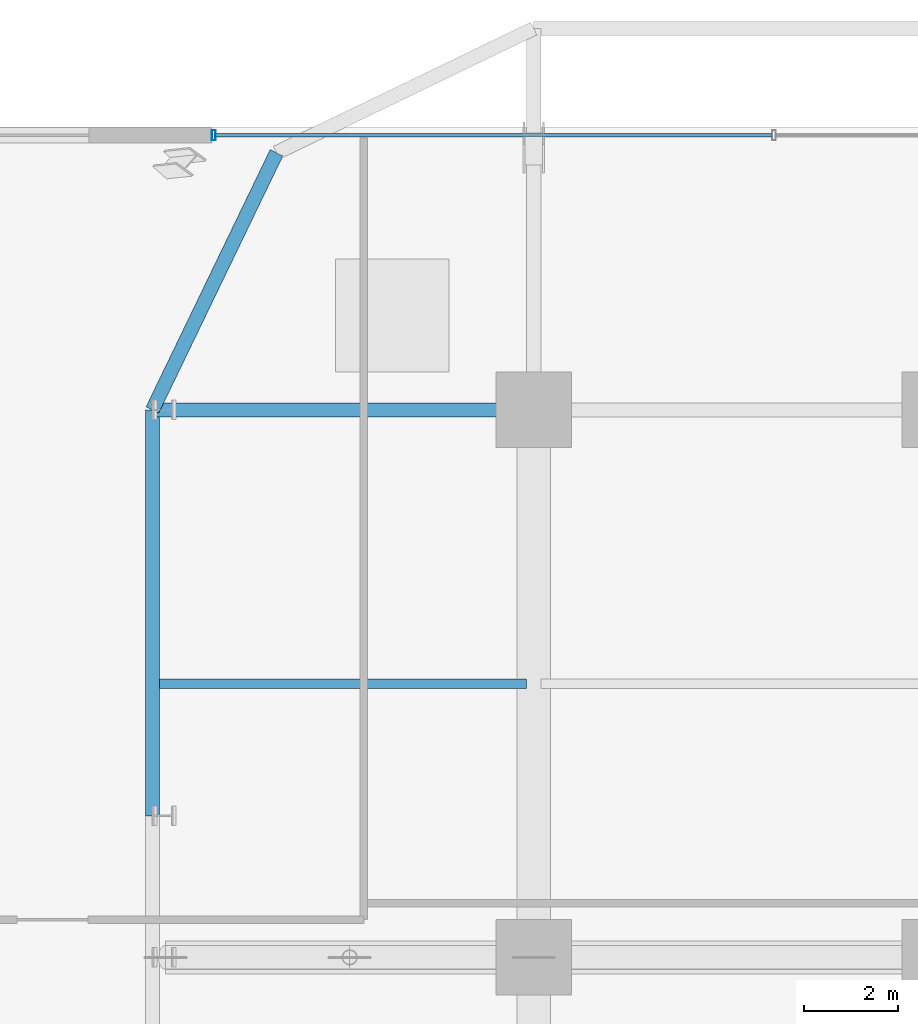
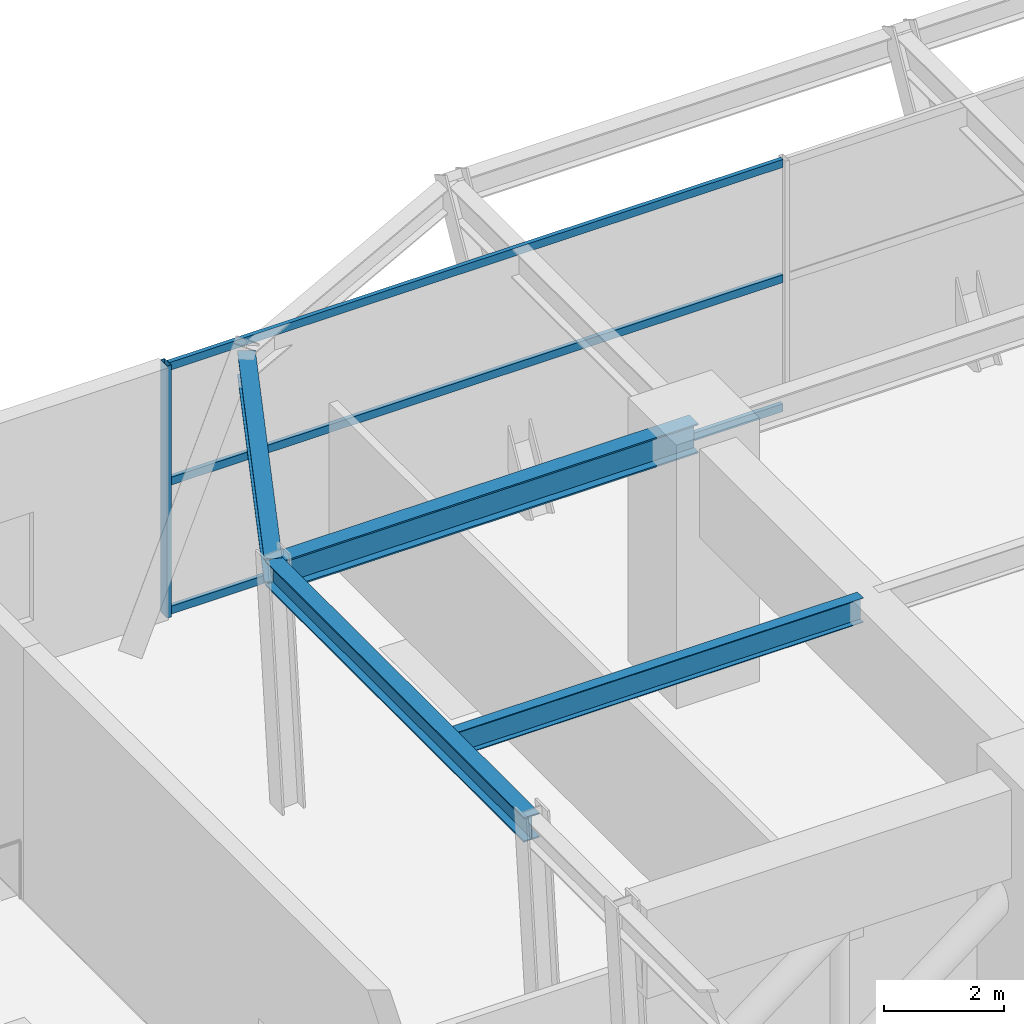
# One storey, part 12 of 29: 4 beams, 4 members, 1 element without a shape of its own.
"""IFC4 building model written with IfcOpenShell, lengths in metres."""

from ifc_helpers import new_model, si_unit, direction, frame, origin, origin_2d, place, context, subcontext, project, spatial, hollow_rectangle, i_section, extrude, source, transform, mapped, material, material_profile, profile_set, type_object, element, aggregate, save


model = new_model("IFC4")

# Units and contexts
model_context = context("Model", 3, precision=1e-05, world=origin(), true_north=direction((0.0, 1.0)))
body_context = subcontext(model_context, "Body", "Model", "MODEL_VIEW")
ifc_project = project(units=[si_unit("LENGTHUNIT", "METRE"), si_unit("AREAUNIT", "SQUARE_METRE"), si_unit("VOLUMEUNIT", "CUBIC_METRE"), si_unit("PLANEANGLEUNIT", "RADIAN"), si_unit("MASSUNIT", "GRAM", prefix="KILO")], contexts=[model_context])

# Site, building, storey
site_placement = place(None, origin())
site = spatial("IfcSite", under=ifc_project, at=site_placement, CompositionType="ELEMENT")
building_placement = place(site_placement, origin())
building = spatial("IfcBuilding", under=site, at=building_placement, Name="Nahalor Promenade Grand Hotel", CompositionType="ELEMENT")
storey_placement = place(building_placement, frame((0.0, 0.0, 27.0)))
storey = spatial("IfcBuildingStorey", under=building, at=storey_placement, Name="L05", CompositionType="ELEMENT", Elevation=27.0)

# Beams
ifc_material_1 = material(Name="Steel S355JR", Category="steel")
ifc_material_profile_1 = material_profile(ifc_material_1, i_section(OverallWidth=0.3, OverallDepth=0.5, WebThickness=0.0145, FlangeThickness=0.028, at=origin_2d()), Name="HEB 500")
ifc_profile_set_1 = profile_set([ifc_material_profile_1], Name="Steel S355JR")
beam_type_1 = type_object("IfcBeamType", Name="Beam-Spandrel-HEB500", PredefinedType="SPANDREL", material=ifc_profile_set_1)
shared_shape_1 = source(origin(), body_context, "Body", "SweptSolid", [
    extrude(i_section(OverallWidth=0.3, OverallDepth=0.5, WebThickness=0.0145, FlangeThickness=0.028, at=origin_2d()), origin(), (0.0, 0.0, 1.0), 8.60009765625),
])
beam_1_placement = place(storey_placement, frame((-25.080078125, 8.39990234375, 4.8701171875), z_axis=(0.0, 1.0, 0.0), x_axis=(-1.0, 0.0, 0.0)))
element("IfcBeam", 1, at=beam_1_placement, inside=storey, type_object=beam_type_1, Name="BM-L05-SP-W-4", PredefinedType="SPANDREL", context=body_context, shape_type="MappedRepresentation", body=[
    mapped(shared_shape_1, transform((0.0, 0.0, 0.0), scale=1.0)),
])
ifc_material_profile_2 = material_profile(ifc_material_1, i_section(OverallWidth=0.3, OverallDepth=0.6, WebThickness=0.0155, FlangeThickness=0.03, at=origin_2d()), Name="HEB 600")
ifc_profile_set_2 = profile_set([ifc_material_profile_2], Name="Steel S355JR")
beam_type_2 = type_object("IfcBeamType", Name="Beam-Girder-HEB600", PredefinedType="BEAM", material=ifc_profile_set_2)
shared_shape_2 = source(origin(), body_context, "Body", "SweptSolid", [
    extrude(i_section(OverallWidth=0.3, OverallDepth=0.6, WebThickness=0.0155, FlangeThickness=0.03, at=origin_2d()), origin(), (0.0, 0.0, 1.0), 8.080078125),
])
beam_2_placement = place(storey_placement, frame((-25.080078125, 17.0, 4.820068359375), z_axis=(1.0, 0.0, 0.0), x_axis=(0.0, 1.0, 0.0)))
element("IfcBeam", 2, at=beam_2_placement, inside=storey, type_object=beam_type_2, Name="BM-L05-GX-3-0", PredefinedType="BEAM", context=body_context, shape_type="MappedRepresentation", body=[
    mapped(shared_shape_2, transform((0.0, 0.0, 0.0), scale=1.0)),
])
shared_shape_3 = source(origin(), body_context, "Body", "SweptSolid", [
    extrude(i_section(OverallWidth=0.3, OverallDepth=0.5, WebThickness=0.0145, FlangeThickness=0.028, at=origin_2d()), origin(), (0.0, 0.0, 1.0), 6.051513671875),
])
beam_3_placement = place(storey_placement, frame((-22.449951171875, 22.449951171875, 4.8701171875), z_axis=(-0.434630596492, -0.900608818852, 0.0), x_axis=(0.900608818852, -0.434630596492, 0.0)))
element("IfcBeam", 3, at=beam_3_placement, inside=storey, type_object=beam_type_1, Name="BM-L05-SPC-NW-2", PredefinedType="SPANDREL", context=body_context, shape_type="MappedRepresentation", body=[
    mapped(shared_shape_3, transform((0.0, 0.0, 0.0), scale=1.0)),
])
ifc_material_profile_3 = material_profile(ifc_material_1, i_section(OverallWidth=0.2, OverallDepth=0.5, WebThickness=0.0102, FlangeThickness=0.016, at=origin_2d()), Name="IPE 500")
ifc_profile_set_3 = profile_set([ifc_material_profile_3], Name="Steel S355JR")
beam_type_3 = type_object("IfcBeamType", Name="Beam-Joist-IPE500", PredefinedType="JOIST", material=ifc_profile_set_3)
shared_shape_4 = source(origin(), body_context, "Body", "SweptSolid", [
    extrude(i_section(OverallWidth=0.2, OverallDepth=0.5, WebThickness=0.0102, FlangeThickness=0.016, at=origin_2d()), origin(), (0.0, 0.0, 1.0), 7.780029296875),
])
beam_4_placement = place(storey_placement, frame((-24.929931640625, 11.199951171875, 4.8701171875), z_axis=(1.0, 0.0, 0.0), x_axis=(0.0, 1.0, 0.0)))
element("IfcBeam", 4, at=beam_4_placement, inside=storey, type_object=beam_type_3, Name="BM-L05-JSW-1-0", PredefinedType="JOIST", context=body_context, shape_type="MappedRepresentation", body=[
    mapped(shared_shape_4, transform((0.0, 0.0, 0.0), scale=1.0)),
])

# Curtain wall, members
ifc_material_2 = material(Name="Anodised Bronze Aluminium EN AW-6063 T6", Category="aluminium")
curtain_wall_type = type_object("IfcCurtainWallType", Name="CW1 Waterfront Podium Bronze Arcade Curtain Wall", PredefinedType="USERDEFINED", material=ifc_material_2)
curtain_wall_placement = place(storey_placement, origin())
curtain_wall = element("IfcCurtainWall", 5, at=curtain_wall_placement, inside=storey, type_object=curtain_wall_type, Name="L05 Curtain Wall CW-L05-N", ObjectType="UNITISED_CURTAIN_WALL", PredefinedType="USERDEFINED")
ifc_material_profile_4 = material_profile(ifc_material_2, hollow_rectangle(XDim=0.08, YDim=0.22, WallThickness=0.005, at=origin_2d()), Name="CWM 80x220x5")
ifc_profile_set_4 = profile_set([ifc_material_profile_4], Name="Anodised Bronze Aluminium EN AW-6063 T6")
member_type_1 = type_object("IfcMemberType", Name="CWM1 Podium Bronze Mullion 80x220", PredefinedType="MULLION", material=ifc_profile_set_4)
shared_shape_5 = source(origin(), body_context, "Body", "SweptSolid", [
    extrude(hollow_rectangle(XDim=0.08, YDim=0.22, WallThickness=0.005, at=origin_2d()), origin(), (0.0, 0.0, 1.0), 5.1201171875),
])
member_1_placement = place(storey_placement, frame((-23.780029296875, 22.820068359375, 0.0), z_axis=(0.0, 0.0, 1.0), x_axis=(1.0, 0.0, 0.0)))
member_1 = element("IfcMember", 6, at=member_1_placement, type_object=member_type_1, Name="CW-L05-N Mullion 0", PredefinedType="MULLION", context=body_context, shape_type="MappedRepresentation", body=[
    mapped(shared_shape_5, transform((0.0, 0.0, 0.0), scale=1.0)),
])
ifc_material_profile_5 = material_profile(ifc_material_2, hollow_rectangle(XDim=0.08, YDim=0.16, WallThickness=0.004, at=origin_2d()), Name="CWT 80x160x4")
ifc_profile_set_5 = profile_set([ifc_material_profile_5], Name="Anodised Bronze Aluminium EN AW-6063 T6")
member_type_2 = type_object("IfcMemberType", Name="CWT1 Podium Bronze Transom 80x160", PredefinedType="USERDEFINED", material=ifc_profile_set_5)
shared_shape_6 = source(origin(), body_context, "Body", "SweptSolid", [
    extrude(hollow_rectangle(XDim=0.08, YDim=0.16, WallThickness=0.004, at=origin_2d()), origin(), (0.0, 0.0, 1.0), 11.7900390625),
])
member_2_placement = place(storey_placement, frame((-23.739990234375, 22.820068359375, 0.080078125), z_axis=(1.0, 0.0, 0.0), x_axis=(0.0, 1.0, 0.0)))
member_2 = element("IfcMember", 7, at=member_2_placement, type_object=member_type_2, Name="CW-L05-N Transom 0-0", ObjectType="TRANSOM", PredefinedType="USERDEFINED", context=body_context, shape_type="MappedRepresentation", body=[
    mapped(shared_shape_6, transform((0.0, 0.0, 0.0), scale=1.0)),
])
member_3_placement = place(storey_placement, frame((-23.739990234375, 22.820068359375, 2.699951171875), z_axis=(1.0, 0.0, 0.0), x_axis=(0.0, 1.0, 0.0)))
member_3 = element("IfcMember", 8, at=member_3_placement, type_object=member_type_2, Name="CW-L05-N Transom 0-1", ObjectType="TRANSOM", PredefinedType="USERDEFINED", context=body_context, shape_type="MappedRepresentation", body=[
    mapped(shared_shape_6, transform((0.0, 0.0, 0.0), scale=1.0)),
])
member_4_placement = place(storey_placement, frame((-23.739990234375, 22.820068359375, 5.0400390625), z_axis=(1.0, 0.0, 0.0), x_axis=(0.0, 1.0, 0.0)))
member_4 = element("IfcMember", 9, at=member_4_placement, type_object=member_type_2, Name="CW-L05-N Transom 0-2", ObjectType="TRANSOM", PredefinedType="USERDEFINED", context=body_context, shape_type="MappedRepresentation", body=[
    mapped(shared_shape_6, transform((0.0, 0.0, 0.0), scale=1.0)),
])
aggregate(curtain_wall, [member_1, member_2, member_3, member_4])

save(model, "model.ifc")
